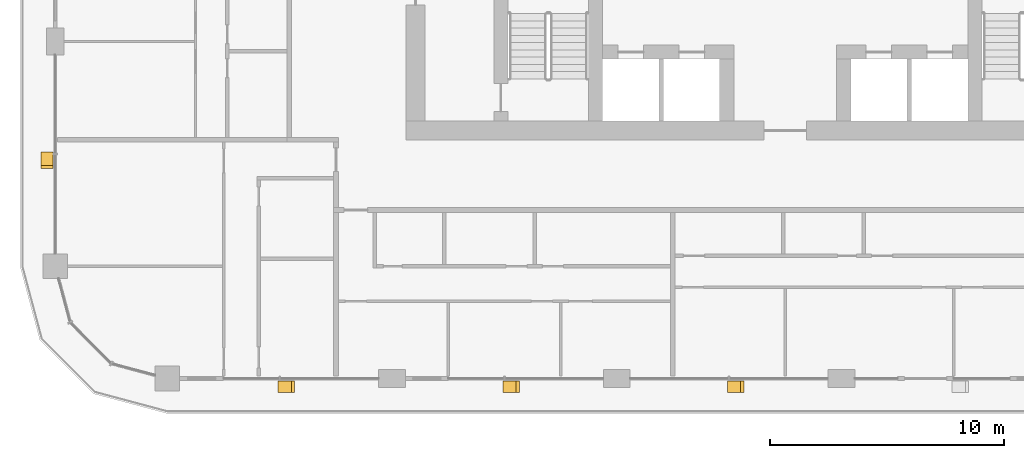
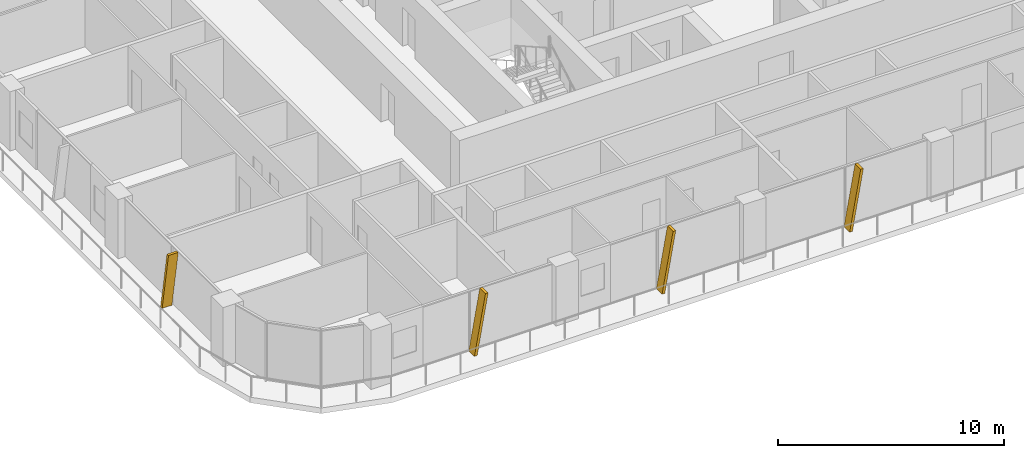
# One storey, part 16 of 22: 4 shading devices.
"""IFC4 building model written with IfcOpenShell, lengths in metres."""

from ifc_helpers import new_model, si_unit, direction, frame, origin, place, context, subcontext, project, spatial, polyline, outline, extrude, material, type_object, element, save


model = new_model("IFC4")

# Units and contexts
model_context = context("Model", 3, precision=1e-05, world=origin(), true_north=direction((0.0, 1.0)))
body_context = subcontext(model_context, "Body", "Model", "MODEL_VIEW")
ifc_project = project(units=[si_unit("LENGTHUNIT", "METRE"), si_unit("AREAUNIT", "SQUARE_METRE"), si_unit("VOLUMEUNIT", "CUBIC_METRE"), si_unit("PLANEANGLEUNIT", "RADIAN"), si_unit("MASSUNIT", "GRAM", prefix="KILO")], contexts=[model_context])

# Site, building, storey
site_placement = place(None, origin())
site = spatial("IfcSite", under=ifc_project, at=site_placement, CompositionType="ELEMENT")
building_placement = place(site_placement, origin())
building = spatial("IfcBuilding", under=site, at=building_placement, Name="Madar Terraces", CompositionType="ELEMENT")
storey_placement = place(building_placement, frame((0.0, 0.0, 122.60009765625)))
storey = spatial("IfcBuildingStorey", under=building, at=storey_placement, Name="L31", CompositionType="ELEMENT", Elevation=122.60009765625)

# Shading devices
ifc_material = material(Name="Aluminium, black anodised", Category="aluminium")
shading_device_type = type_object("IfcShadingDeviceType", Name="Facade fin blade 140 x 500", PredefinedType="USERDEFINED", material=ifc_material)
shading_device_1_placement = place(storey_placement, frame((9.530029296875, 4.449951171875, 0.0), z_axis=(0.0, 0.0, 1.0), x_axis=(1.0, 0.0, 0.0)))
element("IfcShadingDevice", 1, at=shading_device_1_placement, inside=storey, type_object=shading_device_type, Name="FIN L31 S1", ObjectType="FIN", PredefinedType="USERDEFINED", context=body_context, shape_type="SweptSolid", body=[
    extrude(outline(polyline([(0.0, 0.0), (0.139892578125, 0.0), (0.704345703125, 3.199951171875), (0.564208984375, 3.199951171875), (0.0, 0.0)])), frame((0.0, 0.25, 0.0), z_axis=(0.0, -1.0, 0.0), x_axis=(1.0, 0.0, 0.0)), (0.0, 0.0, 1.0), 0.5),
])
for number, where, z_axis, x_axis, name in (
    (2, (19.1298828125, 4.449951171875, 0.0), (0.0, 0.0, 1.0), (1.0, 0.0, 0.0), "FIN L31 S2"),
    (3, (28.72998046875, 4.449951171875, 0.0), (0.0, 0.0, 1.0), (1.0, 0.0, 0.0), "FIN L31 S3"),
):
    element("IfcShadingDevice", number, at=place(storey_placement, frame(where, z_axis=z_axis, x_axis=x_axis)), inside=storey, type_object=shading_device_type, Name=name, ObjectType="FIN", PredefinedType="USERDEFINED", context=body_context, shape_type="SweptSolid", body=[
        extrude(outline(polyline([(0.0, 0.0), (0.14013671875, 0.0), (0.704345703125, 3.199951171875), (0.564208984375, 3.199951171875), (0.0, 0.0)])), frame((0.0, 0.25, 0.0), z_axis=(0.0, -1.0, 0.0), x_axis=(1.0, 0.0, 0.0)), (0.0, 0.0, 1.0), 0.5),
    ])
shading_device_2_placement = place(storey_placement, frame((-0.35009765625, 14.469970703125, 0.0), z_axis=(0.0, 0.0, 1.0), x_axis=(0.0, -1.0, 0.0)))
element("IfcShadingDevice", 4, at=shading_device_2_placement, inside=storey, type_object=shading_device_type, Name="FIN L31 W4", ObjectType="FIN", PredefinedType="USERDEFINED", context=body_context, shape_type="SweptSolid", body=[
    extrude(outline(polyline([(0.0, 0.0), (0.139892578125, 0.0), (0.704345703125, 3.199951171875), (0.564208984375, 3.199951171875), (0.0, 0.0)])), frame((0.0, 0.25, 0.0), z_axis=(0.0, -1.0, 0.0), x_axis=(1.0, 0.0, 0.0)), (0.0, 0.0, 1.0), 0.5),
])

save(model, "model.ifc")
